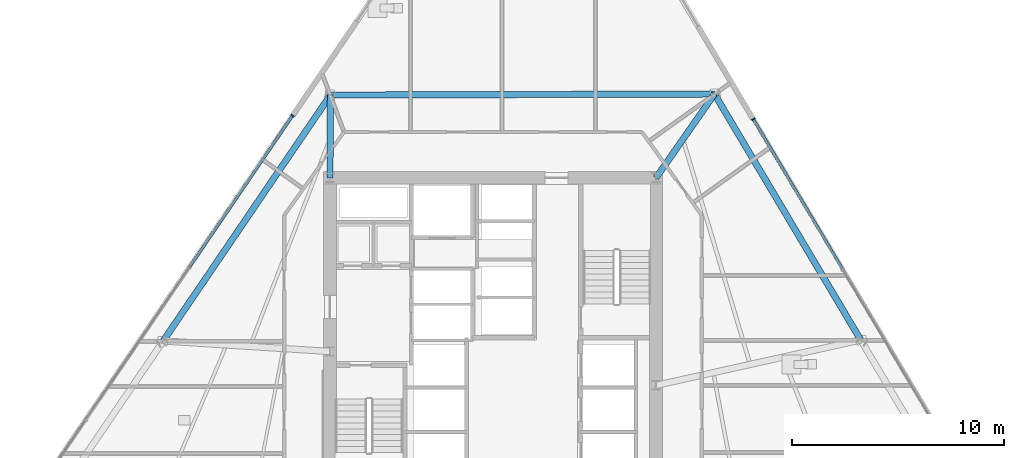
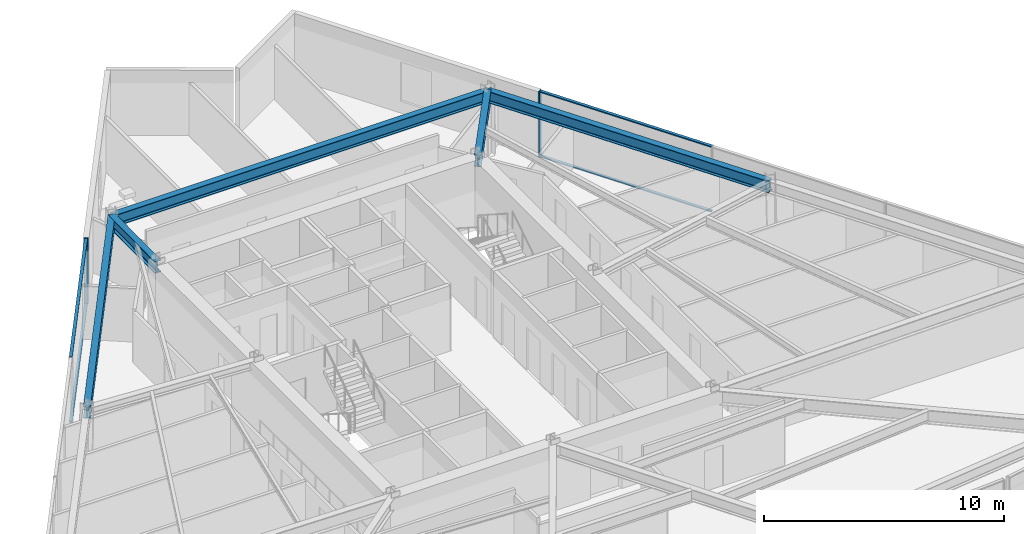
# One storey, part 7 of 17: 6 members, 5 beams, 2 elements without a shape of their own.
"""IFC4 building model written with IfcOpenShell, lengths in metres."""

from ifc_helpers import new_model, si_unit, direction, frame, origin, origin_2d, place, context, subcontext, project, spatial, rectangle, i_section, extrude, material, material_profile, profile_set, type_object, element, aggregate, save


model = new_model("IFC4")

# Units and contexts
model_context = context("Model", 3, precision=1e-05, world=origin(), true_north=direction((0.0, 1.0)))
body_context = subcontext(model_context, "Body", "Model", "MODEL_VIEW")
ifc_project = project(units=[si_unit("LENGTHUNIT", "METRE"), si_unit("AREAUNIT", "SQUARE_METRE"), si_unit("VOLUMEUNIT", "CUBIC_METRE"), si_unit("PLANEANGLEUNIT", "RADIAN"), si_unit("MASSUNIT", "GRAM", prefix="KILO")], contexts=[model_context])

# Site, building, storey
site_placement = place(None, origin())
site = spatial("IfcSite", under=ifc_project, at=site_placement, CompositionType="ELEMENT")
building_placement = place(site_placement, origin())
building = spatial("IfcBuilding", under=site, at=building_placement, Name="Savorim Split Tower", CompositionType="ELEMENT")
storey_placement = place(building_placement, frame((0.0, 0.0, 58.800048828125)))
storey = spatial("IfcBuildingStorey", under=building, at=storey_placement, Name="L15", CompositionType="ELEMENT", Elevation=58.800048828125)

# Beams
ifc_material_1 = material(Name="Steel S355", Category="steel")
ifc_material_profile_1 = material_profile(ifc_material_1, i_section(OverallWidth=0.300048828125, OverallDepth=0.60009765625, WebThickness=0.015380859375, FlangeThickness=0.030029296875, FilletRadius=0.027099609375, at=origin_2d()), Name="HEB 600")
ifc_profile_set_1 = profile_set([ifc_material_profile_1], Name="Steel S355")
beam_type_1 = type_object("IfcBeamType", Name="BM-PRI-HEB600", PredefinedType="BEAM", material=ifc_profile_set_1)
beam_1_placement = place(storey_placement, frame((10.462890625, 14.158935546875, 3.050048828125), z_axis=(-0.572301033829, -0.820043612668, 0.0), x_axis=(0.820043612668, -0.572301033829, 0.0)))
element("IfcBeam", 1, at=beam_1_placement, inside=storey, type_object=beam_type_1, Name="L15 Primary Floor Girder RG-07", PredefinedType="BEAM", context=body_context, shape_type="SweptSolid", body=[
    extrude(i_section(OverallWidth=0.300048828125, OverallDepth=0.60009765625, WebThickness=0.015380859375, FlangeThickness=0.030029296875, FilletRadius=0.027099609375, at=origin_2d()), origin(), (0.0, 0.0, 1.0), 4.827880859375),
])
beam_2_placement = place(storey_placement, frame((-7.675537109375, 14.110107421875, 3.050048828125), z_axis=(-0.006243634542, -0.999980508324, 0.0), x_axis=(0.999980508324, -0.006243634542, 0.0)))
element("IfcBeam", 2, at=beam_2_placement, inside=storey, type_object=beam_type_1, Name="L15 Primary Floor Girder RG-08", PredefinedType="BEAM", context=body_context, shape_type="SweptSolid", body=[
    extrude(i_section(OverallWidth=0.300048828125, OverallDepth=0.60009765625, WebThickness=0.015380859375, FlangeThickness=0.030029296875, FilletRadius=0.027099609375, at=origin_2d()), origin(), (0.0, 0.0, 1.0), 3.91015625),
])
ifc_material_profile_2 = material_profile(ifc_material_1, i_section(OverallWidth=0.300048828125, OverallDepth=0.590087890625, WebThickness=0.012939453125, FlangeThickness=0.02490234375, FilletRadius=0.027099609375, at=origin_2d()), Name="HEA 600")
ifc_profile_set_2 = profile_set([ifc_material_profile_2], Name="Steel S355")
beam_type_2 = type_object("IfcBeamType", Name="BM-SPN-HEA600", PredefinedType="SPANDREL", material=ifc_profile_set_2)
beam_3_placement = place(storey_placement, frame((17.368408203125, 2.5458984375, 3.054931640625), z_axis=(-0.51110101006, 0.859520655666, 0.0), x_axis=(-0.859520655666, -0.51110101006, 0.0)))
element("IfcBeam", 3, at=beam_3_placement, inside=storey, type_object=beam_type_2, Name="L15 Perimeter Spandrel Beam 6", PredefinedType="SPANDREL", context=body_context, shape_type="SweptSolid", body=[
    extrude(i_section(OverallWidth=0.300048828125, OverallDepth=0.590087890625, WebThickness=0.012939453125, FlangeThickness=0.02490234375, FilletRadius=0.027099609375, at=origin_2d()), origin(), (0.0, 0.0, 1.0), 13.510986328125),
])
beam_4_placement = place(storey_placement, frame((10.462890625, 14.158935546875, 3.054931640625), z_axis=(-0.999996376665, -0.002691961442, 0.0), x_axis=(0.002691961442, -0.999996376665, 0.0)))
element("IfcBeam", 4, at=beam_4_placement, inside=storey, type_object=beam_type_2, Name="L15 Perimeter Spandrel Beam 7", PredefinedType="SPANDREL", context=body_context, shape_type="SweptSolid", body=[
    extrude(i_section(OverallWidth=0.300048828125, OverallDepth=0.590087890625, WebThickness=0.012939453125, FlangeThickness=0.02490234375, FilletRadius=0.027099609375, at=origin_2d()), origin(), (0.0, 0.0, 1.0), 18.138427734375),
])
beam_5_placement = place(storey_placement, frame((-7.675537109375, 14.110107421875, 3.054931640625), z_axis=(-0.562469759557, -0.826817857562, 0.0), x_axis=(0.826817857562, -0.562469759557, 0.0)))
element("IfcBeam", 5, at=beam_5_placement, inside=storey, type_object=beam_type_2, Name="L15 Perimeter Spandrel Beam 8", PredefinedType="SPANDREL", context=body_context, shape_type="SweptSolid", body=[
    extrude(i_section(OverallWidth=0.300048828125, OverallDepth=0.590087890625, WebThickness=0.012939453125, FlangeThickness=0.02490234375, FilletRadius=0.027099609375, at=origin_2d()), origin(), (0.0, 0.0, 1.0), 14.04541015625),
])

# Curtain wall, member
ifc_material_2 = material(Name="Dark Ceramic-Fritted Insulated Glass", Category="glass")
curtain_wall_type = type_object("IfcCurtainWallType", Name="CW-TWR-FRIT-A", PredefinedType="NOTDEFINED", material=ifc_material_2)
curtain_wall_1_placement = place(storey_placement, origin())
curtain_wall_1 = element("IfcCurtainWall", 6, at=curtain_wall_1_placement, inside=storey, type_object=curtain_wall_type, Name="L15 Curtain Wall CW-L15-EAST", PredefinedType="NOTDEFINED")
ifc_material_3 = material(Name="Charcoal Anodised Aluminium", Category="aluminium")
ifc_material_profile_3 = material_profile(ifc_material_3, rectangle(XDim=0.179931640625, YDim=0.06494140625, at=origin_2d()), Name="ALU-M 180x65")
ifc_profile_set_3 = profile_set([ifc_material_profile_3], Name="Charcoal Anodised Aluminium")
member_type_1 = type_object("IfcMemberType", Name="CWM-180x65", PredefinedType="MULLION", material=ifc_profile_set_3)
member_1_placement = place(storey_placement, frame((12.296630859375, 12.96826171875, 0.0), z_axis=(0.0, 0.0, 1.0), x_axis=(-0.859525822673, -0.511092320583, 0.0)))
member_1 = element("IfcMember", 7, at=member_1_placement, type_object=member_type_1, Name="CW-02 mullion 5", PredefinedType="MULLION", context=body_context, shape_type="SweptSolid", body=[
    extrude(rectangle(XDim=0.179931640625, YDim=0.06494140625, at=origin_2d()), origin(), (0.0, 0.0, 1.0), 3.349853515625),
])

curtain_wall_2_placement = place(storey_placement, origin())
curtain_wall_2 = element("IfcCurtainWall", 8, at=curtain_wall_2_placement, inside=storey, type_object=curtain_wall_type, Name="L15 Curtain Wall CW-L15-WEST", PredefinedType="NOTDEFINED")
member_2_placement = place(storey_placement, frame((-9.468994140625, 13.136474609375, 0.0), z_axis=(0.0, 0.0, 1.0), x_axis=(0.826820172644, -0.562466356423, 0.0)))
member_2 = element("IfcMember", 9, at=member_2_placement, type_object=member_type_1, Name="CW-02 mullion 1", PredefinedType="MULLION", context=body_context, shape_type="SweptSolid", body=[
    extrude(rectangle(XDim=0.179931640625, YDim=0.06494140625, at=origin_2d()), origin(), (0.0, 0.0, 1.0), 3.349853515625),
])

# Member
ifc_material_profile_4 = material_profile(ifc_material_3, rectangle(XDim=0.139892578125, YDim=0.054931640625, at=origin_2d()), Name="ALU-T 140x55")
ifc_profile_set_4 = profile_set([ifc_material_profile_4], Name="Charcoal Anodised Aluminium")
member_type_2 = type_object("IfcMemberType", Name="CWT-140x55", PredefinedType="USERDEFINED", material=ifc_profile_set_4)
member_3_placement = place(storey_placement, frame((16.49853515625, 5.901611328125, 0.02734375), z_axis=(-0.51109384724, 0.859524914888, 0.0), x_axis=(-0.859524914888, -0.51109384724, 0.0)))
member_3 = element("IfcMember", 10, at=member_3_placement, type_object=member_type_2, Name="CW-02 transom 4.1", ObjectType="TRANSOM", PredefinedType="USERDEFINED", context=body_context, shape_type="SweptSolid", body=[
    extrude(rectangle(XDim=0.139892578125, YDim=0.054931640625, at=origin_2d()), origin(), (0.0, 0.0, 1.0), 8.18896484375),
])

member_4_placement = place(storey_placement, frame((16.49853515625, 5.901611328125, 3.322509765625), z_axis=(-0.51109384724, 0.859524914888, 0.0), x_axis=(-0.859524914888, -0.51109384724, 0.0)))
member_4 = element("IfcMember", 11, at=member_4_placement, type_object=member_type_2, Name="CW-02 transom 4.2", ObjectType="TRANSOM", PredefinedType="USERDEFINED", context=body_context, shape_type="SweptSolid", body=[
    extrude(rectangle(XDim=0.139892578125, YDim=0.054931640625, at=origin_2d()), origin(), (0.0, 0.0, 1.0), 8.18896484375),
])

aggregate(curtain_wall_1, [member_1, member_3, member_4])

member_5_placement = place(storey_placement, frame((-9.487060546875, 13.109619140625, 0.02734375), z_axis=(-0.562479161914, -0.826811461224, 0.0), x_axis=(0.826811461224, -0.562479161914, 0.0)))
member_5 = element("IfcMember", 12, at=member_5_placement, type_object=member_type_2, Name="CW-02 transom 1.1", ObjectType="TRANSOM", PredefinedType="USERDEFINED", context=body_context, shape_type="SweptSolid", body=[
    extrude(rectangle(XDim=0.139892578125, YDim=0.054931640625, at=origin_2d()), origin(), (0.0, 0.0, 1.0), 8.606201171875),
])

member_6_placement = place(storey_placement, frame((-9.487060546875, 13.109619140625, 3.322509765625), z_axis=(-0.562479161914, -0.826811461224, 0.0), x_axis=(0.826811461224, -0.562479161914, 0.0)))
member_6 = element("IfcMember", 13, at=member_6_placement, type_object=member_type_2, Name="CW-02 transom 1.2", ObjectType="TRANSOM", PredefinedType="USERDEFINED", context=body_context, shape_type="SweptSolid", body=[
    extrude(rectangle(XDim=0.139892578125, YDim=0.054931640625, at=origin_2d()), origin(), (0.0, 0.0, 1.0), 8.606201171875),
])

aggregate(curtain_wall_2, [member_2, member_5, member_6])

save(model, "model.ifc")
